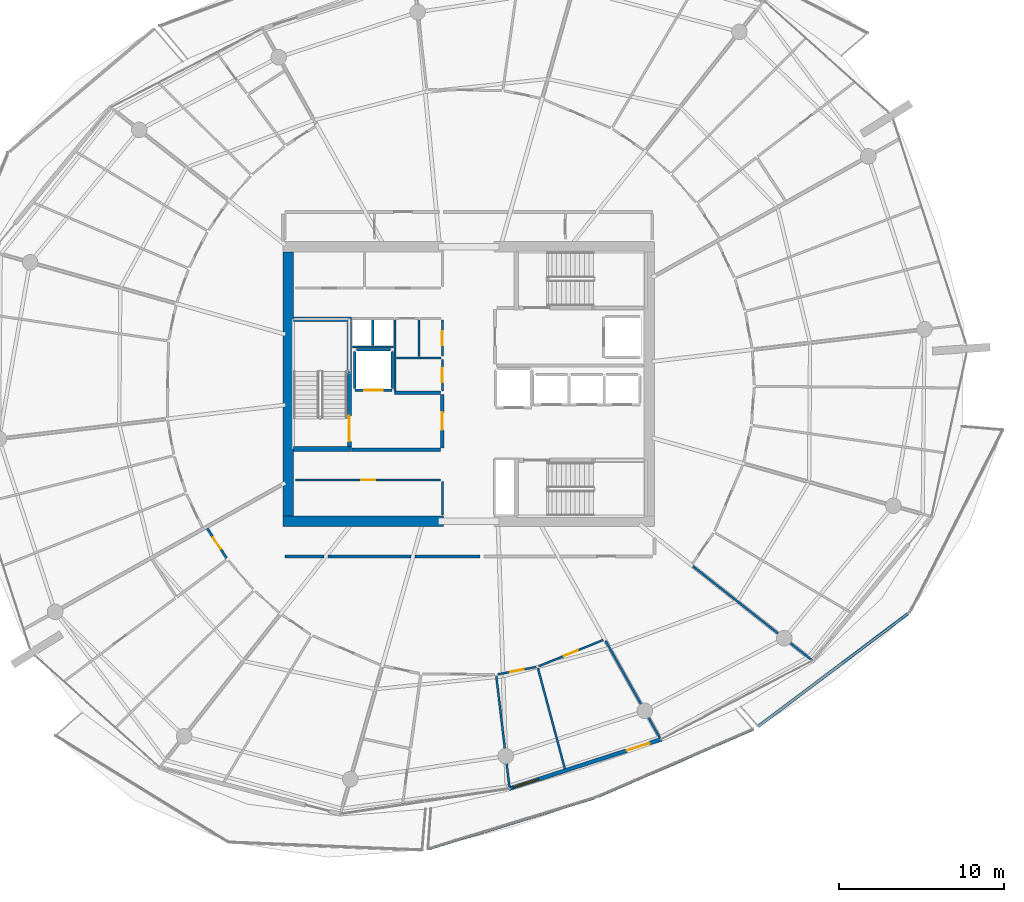
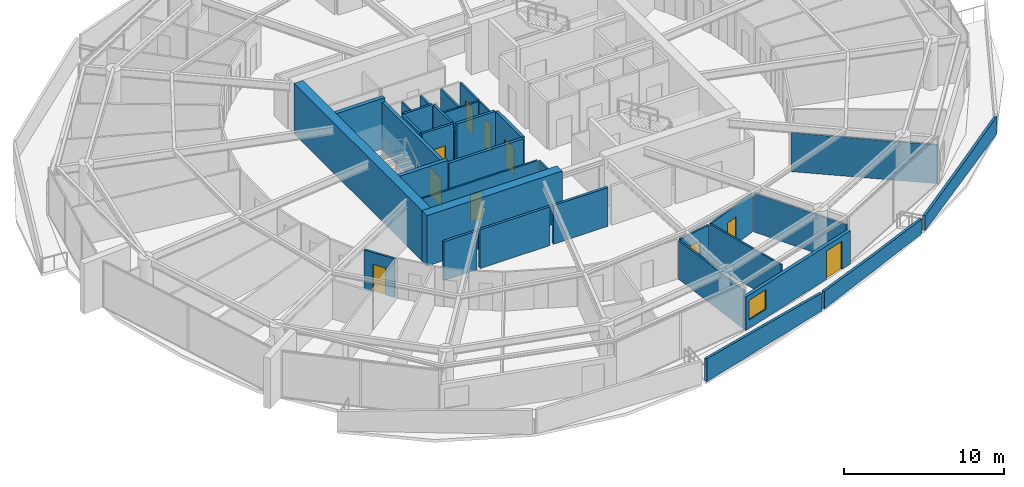
# One storey, part 20 of 31: 35 walls, 10 doors, 1 window, 11 openings.
"""IFC4 building model written with IfcOpenShell, lengths in metres."""

from ifc_helpers import new_model, si_unit, direction, frame, frame_2d, origin, place, context, subcontext, project, spatial, polyline, rectangle, outline, extrude, material, layer, layer_set, type_object, element, fill, save


model = new_model("IFC4")

# Units and contexts
model_context = context("Model", 3, precision=1e-05, world=origin(), true_north=direction((0.0, 1.0)))
body_context = subcontext(model_context, "Body", "Model", "MODEL_VIEW")
ifc_project = project(units=[si_unit("LENGTHUNIT", "METRE"), si_unit("AREAUNIT", "SQUARE_METRE"), si_unit("VOLUMEUNIT", "CUBIC_METRE"), si_unit("PLANEANGLEUNIT", "RADIAN"), si_unit("MASSUNIT", "GRAM", prefix="KILO")], contexts=[model_context])

# Site, building, storey
site_placement = place(None, origin())
site = spatial("IfcSite", under=ifc_project, at=site_placement, CompositionType="ELEMENT")
building_placement = place(site_placement, origin())
building = spatial("IfcBuilding", under=site, at=building_placement, Name="Kazma Halo Residences", CompositionType="ELEMENT")
storey_placement = place(building_placement, frame((0.0, 0.0, 240.550048828125)))
storey = spatial("IfcBuildingStorey", under=building, at=storey_placement, Name="L60", CompositionType="ELEMENT", Elevation=240.550048828125)

# Walls
ifc_material_1 = material(Name="White Concrete C50/60 Balustrade", Category="concrete")
ifc_layer_1 = layer(ifc_material_1, 0.179931640625)
ifc_layer_set_1 = layer_set([ifc_layer_1], Name="White Concrete C50/60 Balustrade")
wall_type_1 = type_object("IfcWallType", Name="WL-BAL-WAVE-180", PredefinedType="PARAPET", material=ifc_layer_set_1)
wall_1_placement = place(storey_placement, frame((45.953369140625, 13.794189453125, 0.0), z_axis=(0.0, 0.0, 1.0), x_axis=(0.955884083791, 0.293744137565, 0.0)))
element("IfcWall", 1, at=wall_1_placement, inside=storey, type_object=wall_type_1, Name="L60 white wave balustrade wall SSE.1", PredefinedType="PARAPET", context=body_context, shape_type="SweptSolid", body=[
    extrude(outline(polyline([(0.0, 0.0), (10.543701171875, 0.0), (10.5439453125, 1.347900390625), (5.27197265625, 1.56201171875), (0.0, 1.7470703125), (0.0, 0.0)])), frame((0.0, 0.08984375, 0.0), z_axis=(0.0, -1.0, 0.0), x_axis=(1.0, 0.0, 0.0)), (0.0, 0.0, 1.0), 0.179931640625),
])
wall_2_placement = place(storey_placement, frame((56.2568359375, 16.974365234375, 0.0), z_axis=(0.0, 0.0, 1.0), x_axis=(0.917372888721, 0.398028872119, 0.0)))
element("IfcWall", 2, at=wall_2_placement, inside=storey, type_object=wall_type_1, Name="L60 white wave balustrade wall SSE.2", PredefinedType="PARAPET", context=body_context, shape_type="SweptSolid", body=[
    extrude(outline(polyline([(0.0, 0.0), (10.257568359375, 0.0), (10.25732421875, 1.119873046875), (5.128662109375, 1.181884765625), (0.0, 1.347900390625), (0.0, 0.0)])), frame((0.0, 0.08984375, 0.0), z_axis=(0.0, -1.0, 0.0), x_axis=(1.0, 0.0, 0.0)), (0.0, 0.0, 1.0), 0.179931640625),
])
wall_3_placement = place(storey_placement, frame((65.972412109375, 21.215576171875, 0.0), z_axis=(0.0, 0.0, 1.0), x_axis=(0.799146815098, 0.601135898046, 0.0)))
element("IfcWall", 3, at=wall_3_placement, inside=storey, type_object=wall_type_1, Name="L60 white wave balustrade wall SE.1", PredefinedType="PARAPET", context=body_context, shape_type="SweptSolid", body=[
    extrude(outline(polyline([(0.0, 0.0), (11.4111328125, 0.0), (11.4111328125, 1.347900390625), (5.70556640625, 1.181884765625), (0.0, 1.119873046875), (0.0, 0.0)])), frame((0.0, 0.08984375, 0.0), z_axis=(0.0, -1.0, 0.0), x_axis=(1.0, 0.0, 0.0)), (0.0, 0.0, 1.0), 0.179931640625),
])
ifc_material_2 = material(Name="Concrete C60/75", Category="concrete")
ifc_layer_2 = layer(ifc_material_2, 0.64990234375)
ifc_layer_set_2 = layer_set([ifc_layer_2], Name="Concrete C60/75")
wall_type_2 = type_object("IfcWallType", Name="WL-CORE-650", PredefinedType="SHEAR", material=ifc_layer_set_2)
wall_4_placement = place(storey_placement, frame((37.14990234375, 33.675048828125, 0.0), z_axis=(0.0, 0.0, 1.0), x_axis=(1.0, 0.0, 0.0)))
element("IfcWall", 4, at=wall_4_placement, inside=storey, type_object=wall_type_2, Name="L60 central core shear wall SW", PredefinedType="SHEAR", context=body_context, shape_type="SweptSolid", body=[
    extrude(rectangle(XDim=9.75, YDim=0.64990234375, at=frame_2d((4.875, 0.0))), origin(), (0.0, 0.0, 1.0), 3.849853515625),
])
wall_5_placement = place(storey_placement, frame((37.47509765625, 34.0, 0.0), z_axis=(0.0, 0.0, 1.0), x_axis=(0.0, 1.0, 0.0)))
element("IfcWall", 5, at=wall_5_placement, inside=storey, type_object=wall_type_2, Name="L60 central core shear wall W", PredefinedType="SHEAR", context=body_context, shape_type="SweptSolid", body=[
    extrude(rectangle(XDim=16.0, YDim=0.64990234375, at=frame_2d((8.0, 0.0))), origin(), (0.0, 0.0, 1.0), 3.849853515625),
])
ifc_layer_3 = layer(ifc_material_2, 0.280029296875)
ifc_layer_set_3 = layer_set([ifc_layer_3], Name="Concrete C60/75")
wall_type_3 = type_object("IfcWallType", Name="WL-CORE-ST-280", PredefinedType="SHEAR", material=ifc_layer_set_3)
for number, where, z_axis, x_axis, name in (
    (6, (37.800048828125, 38.06005859375, 0.0), (0.0, 0.0, 1.0), (1.0, 0.0, 0.0), "L60 stairwell bearing wall ST01-S"),
    (7, (37.800048828125, 45.93994140625, 0.0), (0.0, 0.0, 1.0), (1.0, 0.0, 0.0), "L60 stairwell bearing wall ST01-N"),
):
    element("IfcWall", number, at=place(storey_placement, frame(where, z_axis=z_axis, x_axis=x_axis)), inside=storey, type_object=wall_type_3, Name=name, PredefinedType="SHEAR", context=body_context, shape_type="SweptSolid", body=[
        extrude(rectangle(XDim=3.5, YDim=0.280029296875, at=frame_2d((1.75, 0.0))), origin(), (0.0, 0.0, 1.0), 3.849853515625),
    ])
ifc_material_3 = material(Name="Acoustic Twin-Stud Gypsum")
ifc_layer_4 = layer(ifc_material_3, 0.179931640625)
ifc_layer_set_4 = layer_set([ifc_layer_4], Name="Acoustic Twin-Stud Gypsum")
wall_type_4 = type_object("IfcWallType", Name="WL-DEM-180", PredefinedType="PARTITIONING", material=ifc_layer_set_4)
wall_6_placement = place(storey_placement, frame((37.27001953125, 31.550048828125, 0.0), z_axis=(0.0, 0.0, 1.0), x_axis=(1.0, 0.0, 0.0)))
element("IfcWall", 8, at=wall_6_placement, inside=storey, type_object=wall_type_4, Name="L60 Apartment 2 inner wall 8", PredefinedType="PARTITIONING", context=body_context, shape_type="SweptSolid", body=[
    extrude(rectangle(XDim=2.371826171875, YDim=0.179931640625, at=frame_2d((1.18603515625, 0.0))), origin(), (0.0, 0.0, 1.0), 2.95703125),
])
wall_7_placement = place(storey_placement, frame((39.8818359375, 31.550048828125, 0.0), z_axis=(0.0, 0.0, 1.0), x_axis=(1.0, 0.0, 0.0)))
element("IfcWall", 9, at=wall_7_placement, inside=storey, type_object=wall_type_4, Name="L60 Apartment 2 inner wall 9", PredefinedType="PARTITIONING", context=body_context, shape_type="SweptSolid", body=[
    extrude(rectangle(XDim=5.051025390625, YDim=0.179931640625, at=frame_2d((2.525390625, 0.0))), origin(), (0.0, 0.0, 1.0), 2.95703125),
])
wall_8_placement = place(storey_placement, frame((45.1728515625, 31.550048828125, 0.0), z_axis=(0.0, 0.0, 1.0), x_axis=(1.0, 0.0, 0.0)))
element("IfcWall", 10, at=wall_8_placement, inside=storey, type_object=wall_type_4, Name="L60 Apartment 2 inner wall 10", PredefinedType="PARTITIONING", context=body_context, shape_type="SweptSolid", body=[
    extrude(rectangle(XDim=3.94384765625, YDim=0.179931640625, at=frame_2d((1.971923828125, 0.0))), origin(), (0.0, 0.0, 1.0), 2.95703125),
])

# Wall, openings, door, window
ifc_material_4 = material(Name="Insulated Pale-Metal Composite Wall")
ifc_layer_5 = layer(ifc_material_4, 0.239990234375)
ifc_layer_set_5 = layer_set([ifc_layer_5], Name="Insulated Pale-Metal Composite Wall")
wall_type_5 = type_object("IfcWallType", Name="WL-EXT-HOST-240", PredefinedType="SOLIDWALL", material=ifc_layer_set_5)
wall_9_placement = place(storey_placement, frame((50.85791015625, 17.436279296875, 0.0), z_axis=(0.0, 0.0, 1.0), x_axis=(0.951055974609, 0.309018661507, 0.0)))
wall_9 = element("IfcWall", 11, at=wall_9_placement, inside=storey, type_object=wall_type_5, Name="L60 exterior terrace-access wall B12", PredefinedType="SOLIDWALL", context=body_context, shape_type="SweptSolid", body=[
    extrude(rectangle(XDim=9.745361328125, YDim=0.239990234375, at=frame_2d((4.87255859375, 0.0))), origin(), (0.0, 0.0, 1.0), 2.5400390625),
])
opening_1_placement = place(wall_9_placement, frame((7.525390625, 0.0, 0.0)))
opening_1 = element("IfcOpeningElement", 12, at=opening_1_placement, cuts=wall_9, Name="Opening DTR-1600", PredefinedType="OPENING", context=body_context, shape_type="SweptSolid", body=[
    extrude(rectangle(XDim=1.449951171875, YDim=2.14990234375, at=frame_2d((0.72509765625, 1.074951171875))), frame((0.0, 0.1298828125, 0.0), z_axis=(0.0, -1.0, 0.0), x_axis=(1.0, 0.0, 0.0)), (0.0, 0.0, 1.0), 0.260009765625),
])
opening_2_placement = place(wall_9_placement, frame((0.280029296875, 0.0, 0.64990234375)))
opening_2 = element("IfcOpeningElement", 13, at=opening_2_placement, cuts=wall_9, Name="Opening W-1800", PredefinedType="OPENING", context=body_context, shape_type="SweptSolid", body=[
    extrude(rectangle(XDim=1.60009765625, YDim=1.5, at=frame_2d((0.800048828125, 0.75))), frame((0.0, 0.1298828125, 0.0), z_axis=(0.0, -1.0, 0.0), x_axis=(1.0, 0.0, 0.0)), (0.0, 0.0, 1.0), 0.260009765625),
])
ifc_material_5 = material(Name="Aluminium AW-6063 T6 Double-Glazed Terrace Door", Category="aluminium")
door_type_1 = type_object("IfcDoorType", Name="DR-EXT-TERR-1600", OperationType="NOTDEFINED", PredefinedType="DOOR", material=ifc_material_5)
door_1_placement = place(opening_1_placement, origin())
door_1 = element("IfcDoor", 14, at=door_1_placement, inside=storey, type_object=door_type_1, Name="L60 B12 balcony terrace door", OperationType="DOUBLE_DOOR_SLIDING", OverallHeight=2.14990234375, OverallWidth=1.449951171875, PredefinedType="DOOR", context=body_context, shape_type="SweptSolid", body=[
    extrude(rectangle(XDim=1.449951171875, YDim=2.14990234375, at=frame_2d((0.72509765625, 1.074951171875))), frame((0.0, 0.02490234375, 0.0), z_axis=(0.0, -1.0, 0.0), x_axis=(1.0, 0.0, 0.0)), (0.0, 0.0, 1.0), 0.050048828125),
])
fill(opening_1, door_1)
ifc_material_6 = material(Name="Clear Triple-Silver Low-E Glass in Aluminium AW-6063 T6 Frame", Category="aluminium")
window_type = type_object("IfcWindowType", Name="WIN-RES-1800", PartitioningType="DOUBLE_PANEL_VERTICAL", PredefinedType="WINDOW", material=ifc_material_6)
window_placement = place(opening_2_placement, origin())
window = element("IfcWindow", 15, at=window_placement, inside=storey, type_object=window_type, Name="L60 B12 apartment window", OverallHeight=1.5, OverallWidth=1.60009765625, PartitioningType="SINGLE_PANEL", PredefinedType="WINDOW", context=body_context, shape_type="SweptSolid", body=[
    extrude(rectangle(XDim=1.60009765625, YDim=1.5, at=frame_2d((0.800048828125, 0.75))), frame((0.0, 0.030029296875, 0.0), z_axis=(0.0, -1.0, 0.0), x_axis=(1.0, 0.0, 0.0)), (0.0, 0.0, 1.0), 0.06005859375),
])
fill(opening_2, window)

# Wall, opening, door
ifc_material_7 = material(Name="Fire-Rated Blockwork Masonry", Category="masonry")
ifc_layer_6 = layer(ifc_material_7, 0.199951171875)
ifc_layer_set_6 = layer_set([ifc_layer_6], Name="Fire-Rated Blockwork Masonry")
wall_type_6 = type_object("IfcWallType", Name="WL-FLB-200", PredefinedType="PARTITIONING", material=ifc_layer_set_6)
wall_10_placement = place(storey_placement, frame((43.780029296875, 41.6201171875, 0.0), z_axis=(0.0, 0.0, 1.0), x_axis=(-1.0, 0.0, 0.0)))
wall_10 = element("IfcWall", 16, at=wall_10_placement, inside=storey, type_object=wall_type_6, Name="L60 lift shaft FL-01 front wall", PredefinedType="PARTITIONING", context=body_context, shape_type="SweptSolid", body=[
    extrude(rectangle(XDim=2.260009765625, YDim=0.159912109375, at=frame_2d((1.1298828125, 0.0))), origin(), (0.0, 0.0, 1.0), 3.58984375),
])
opening_3_placement = place(wall_10_placement, frame((0.580078125, 0.0, 0.0)))
opening_3 = element("IfcOpeningElement", 17, at=opening_3_placement, cuts=wall_10, Name="Opening LD-FL-01", PredefinedType="OPENING", context=body_context, shape_type="SweptSolid", body=[
    extrude(rectangle(XDim=1.10009765625, YDim=2.10009765625, at=frame_2d((0.550048828125, 1.050048828125))), frame((0.0, 0.08984375, 0.0), z_axis=(0.0, -1.0, 0.0), x_axis=(1.0, 0.0, 0.0)), (0.0, 0.0, 1.0), 0.179931640625),
])
ifc_material_8 = material(Name="Stainless Steel Fire-Rated", Category="steel")
door_type_2 = type_object("IfcDoorType", Name="DR-LIFT-SLD-1100", OperationType="DOUBLE_DOOR_SLIDING", PredefinedType="DOOR", material=ifc_material_8)
door_2_placement = place(opening_3_placement, origin())
door_2 = element("IfcDoor", 18, at=door_2_placement, inside=storey, type_object=door_type_2, Name="L60 lift FL-01 sliding landing door", OperationType="DOUBLE_DOOR_SLIDING", OverallHeight=2.10009765625, OverallWidth=1.10009765625, PredefinedType="DOOR", context=body_context, shape_type="SweptSolid", body=[
    extrude(rectangle(XDim=1.10009765625, YDim=2.10009765625, at=frame_2d((0.550048828125, 1.050048828125))), frame((0.0, 0.02490234375, 0.0), z_axis=(0.0, -1.0, 0.0), x_axis=(1.0, 0.0, 0.0)), (0.0, 0.0, 1.0), 0.050048828125),
])
fill(opening_3, door_2)

# Walls
for number, where, z_axis, x_axis, name in (
    (19, (43.780029296875, 41.719970703125, 0.0), (0.0, 0.0, 1.0), (0.0, 1.0, 0.0), "L60 lift shaft FL-01 side wall E"),
    (20, (41.52001953125, 41.719970703125, 0.0), (0.0, 0.0, 1.0), (0.0, 1.0, 0.0), "L60 lift shaft FL-01 side wall W"),
):
    element("IfcWall", number, at=place(storey_placement, frame(where, z_axis=z_axis, x_axis=x_axis)), inside=storey, type_object=wall_type_6, Name=name, PredefinedType="PARTITIONING", context=body_context, shape_type="SweptSolid", body=[
        extrude(rectangle(XDim=2.260009765625, YDim=0.159912109375, at=frame_2d((1.1298828125, 0.0))), origin(), (0.0, 0.0, 1.0), 3.58984375),
    ])
wall_11_placement = place(storey_placement, frame((41.6201171875, 44.080078125, 0.0), z_axis=(0.0, 0.0, 1.0), x_axis=(1.0, 0.0, 0.0)))
element("IfcWall", 21, at=wall_11_placement, inside=storey, type_object=wall_type_6, Name="L60 lift shaft FL-01 side wall N", PredefinedType="PARTITIONING", context=body_context, shape_type="SweptSolid", body=[
    extrude(rectangle(XDim=2.059814453125, YDim=0.159912109375, at=frame_2d((1.02978515625, 0.0))), origin(), (0.0, 0.0, 1.0), 3.58984375),
])
wall_12_placement = place(storey_placement, frame((41.35009765625, 38.02001953125, 0.0), z_axis=(0.0, 0.0, 1.0), x_axis=(1.0, 0.0, 0.0)))
element("IfcWall", 22, at=wall_12_placement, inside=storey, type_object=wall_type_6, Name="L60 west firefighting lobby south smoke wall", PredefinedType="PARTITIONING", context=body_context, shape_type="SweptSolid", body=[
    extrude(rectangle(XDim=5.369873046875, YDim=0.199951171875, at=frame_2d((2.68505859375, 0.0))), origin(), (0.0, 0.0, 1.0), 3.58984375),
])
wall_13_placement = place(storey_placement, frame((43.919921875, 41.47998046875, 0.0), z_axis=(0.0, 0.0, 1.0), x_axis=(1.0, 0.0, 0.0)))
element("IfcWall", 23, at=wall_13_placement, inside=storey, type_object=wall_type_6, Name="L60 west firefighting lobby north smoke wall", PredefinedType="PARTITIONING", context=body_context, shape_type="SweptSolid", body=[
    extrude(rectangle(XDim=2.800048828125, YDim=0.199951171875, at=frame_2d((1.39990234375, 0.0))), origin(), (0.0, 0.0, 1.0), 3.58984375),
])

# Wall, opening, door
wall_14_placement = place(storey_placement, frame((46.820068359375, 38.1201171875, 0.0), z_axis=(0.0, 0.0, 1.0), x_axis=(0.0, 1.0, 0.0)))
wall_14 = element("IfcWall", 24, at=wall_14_placement, inside=storey, type_object=wall_type_6, Name="L60 west firefighting lobby smoke wall", PredefinedType="PARTITIONING", context=body_context, shape_type="SweptSolid", body=[
    extrude(rectangle(XDim=3.259765625, YDim=0.199951171875, at=frame_2d((1.6298828125, 0.0))), origin(), (0.0, 0.0, 1.0), 3.58984375),
])
opening_4_placement = place(wall_14_placement, frame((1.10498046875, 0.0, 0.0)))
opening_4 = element("IfcOpeningElement", 25, at=opening_4_placement, cuts=wall_14, Name="Opening D-FLW", PredefinedType="OPENING", context=body_context, shape_type="SweptSolid", body=[
    extrude(rectangle(XDim=1.050048828125, YDim=2.10009765625, at=frame_2d((0.52490234375, 1.050048828125))), frame((0.0, 0.10986328125, 0.0), z_axis=(0.0, -1.0, 0.0), x_axis=(1.0, 0.0, 0.0)), (0.0, 0.0, 1.0), 0.219970703125),
])
ifc_material_9 = material(Name="Fire-Rated Steel Leaf", Category="steel")
door_type_3 = type_object("IfcDoorType", Name="DR-FD90-1050", OperationType="NOTDEFINED", PredefinedType="DOOR", material=ifc_material_9)
door_3_placement = place(opening_4_placement, origin())
door_3 = element("IfcDoor", 26, at=door_3_placement, inside=storey, type_object=door_type_3, Name="L60 west firefighting lobby smoke door", OperationType="SINGLE_SWING_LEFT", OverallHeight=2.10009765625, OverallWidth=1.050048828125, PredefinedType="DOOR", context=body_context, shape_type="SweptSolid", body=[
    extrude(rectangle(XDim=1.050048828125, YDim=2.10009765625, at=frame_2d((0.52490234375, 1.050048828125))), frame((0.0, 0.02490234375, 0.0), z_axis=(0.0, -1.0, 0.0), x_axis=(1.0, 0.0, 0.0)), (0.0, 0.0, 1.0), 0.050048828125),
])
fill(opening_4, door_3)

# Wall
ifc_material_10 = material(Name="Gypsum Plasterboard Partition")
ifc_layer_7 = layer(ifc_material_10, 0.125)
ifc_layer_set_7 = layer_set([ifc_layer_7], Name="Gypsum Plasterboard Partition")
wall_type_7 = type_object("IfcWallType", Name="WL-PART-125", PredefinedType="PARTITIONING", material=ifc_layer_set_7)
wall_15_placement = place(storey_placement, frame((46.820068359375, 34.050048828125, 0.0), z_axis=(0.0, 0.0, 1.0), x_axis=(0.0, 1.0, 0.0)))
element("IfcWall", 27, at=wall_15_placement, inside=storey, type_object=wall_type_7, Name="L60 reclaimed south east wall", PredefinedType="PARTITIONING", context=body_context, shape_type="SweptSolid", body=[
    extrude(rectangle(XDim=2.030029296875, YDim=0.125, at=frame_2d((1.01513671875, 0.0))), origin(), (0.0, 0.0, 1.0), 3.030029296875),
])

# Wall, opening, door
wall_16_placement = place(storey_placement, frame((37.919921875, 36.179931640625, 0.0), z_axis=(0.0, 0.0, 1.0), x_axis=(1.0, 0.0, 0.0)))
wall_16 = element("IfcWall", 28, at=wall_16_placement, inside=storey, type_object=wall_type_7, Name="L60 reclaimed south front wall", PredefinedType="PARTITIONING", context=body_context, shape_type="SweptSolid", body=[
    extrude(rectangle(XDim=8.800048828125, YDim=0.125, at=frame_2d((4.39990234375, 0.0))), origin(), (0.0, 0.0, 1.0), 3.030029296875),
])
opening_5_placement = place(wall_16_placement, frame((3.97509765625, 0.0, 0.0)))
opening_5 = element("IfcOpeningElement", 29, at=opening_5_placement, cuts=wall_16, Name="Opening DS-850", PredefinedType="OPENING", context=body_context, shape_type="SweptSolid", body=[
    extrude(rectangle(XDim=0.85009765625, YDim=2.06005859375, at=frame_2d((0.425048828125, 1.030029296875))), frame((0.0, 0.072509765625, 0.0), z_axis=(0.0, -1.0, 0.0), x_axis=(1.0, 0.0, 0.0)), (0.0, 0.0, 1.0), 0.14501953125),
])
ifc_material_11 = material(Name="Painted Steel Access Leaf", Category="steel")
door_type_4 = type_object("IfcDoorType", Name="DR-SVC-850", OperationType="NOTDEFINED", PredefinedType="DOOR", material=ifc_material_11)
door_4_placement = place(opening_5_placement, origin())
door_4 = element("IfcDoor", 30, at=door_4_placement, inside=storey, type_object=door_type_4, Name="L60 reclaimed south service door", OperationType="SINGLE_SWING_LEFT", OverallHeight=2.06005859375, OverallWidth=0.85009765625, PredefinedType="DOOR", context=body_context, shape_type="SweptSolid", body=[
    extrude(rectangle(XDim=0.85009765625, YDim=2.06005859375, at=frame_2d((0.425048828125, 1.030029296875))), frame((0.0, 0.02490234375, 0.0), z_axis=(0.0, -1.0, 0.0), x_axis=(1.0, 0.0, 0.0)), (0.0, 0.0, 1.0), 0.050048828125),
])
fill(opening_5, door_4)

# Walls
wall_17_placement = place(storey_placement, frame((41.360107421875, 44.260009765625, 0.0), z_axis=(0.0, 0.0, 1.0), x_axis=(1.0, 0.0, 0.0)))
element("IfcWall", 31, at=wall_17_placement, inside=storey, type_object=wall_type_7, Name="L60 core riser south wall", PredefinedType="PARTITIONING", context=body_context, shape_type="SweptSolid", body=[
    extrude(rectangle(XDim=2.5, YDim=0.125, at=frame_2d((1.25, 0.0))), origin(), (0.0, 0.0, 1.0), 3.030029296875),
])
wall_18_placement = place(storey_placement, frame((42.60009765625, 44.35009765625, 0.0), z_axis=(0.0, 0.0, 1.0), x_axis=(0.0, 1.0, 0.0)))
element("IfcWall", 32, at=wall_18_placement, inside=storey, type_object=wall_type_7, Name="L60 core riser divider wall", PredefinedType="PARTITIONING", context=body_context, shape_type="SweptSolid", body=[
    extrude(rectangle(XDim=1.5498046875, YDim=0.125, at=frame_2d((0.77490234375, 0.0))), origin(), (0.0, 0.0, 1.0), 3.030029296875),
])
wall_19_placement = place(storey_placement, frame((43.949951171875, 41.580078125, 0.0), z_axis=(0.0, 0.0, 1.0), x_axis=(0.0, 1.0, 0.0)))
element("IfcWall", 33, at=wall_19_placement, inside=storey, type_object=wall_type_7, Name="L60 core service west wall", PredefinedType="PARTITIONING", context=body_context, shape_type="SweptSolid", body=[
    extrude(rectangle(XDim=4.31982421875, YDim=0.125, at=frame_2d((2.159912109375, 0.0))), origin(), (0.0, 0.0, 1.0), 3.030029296875),
])
wall_20_placement = place(storey_placement, frame((44.030029296875, 43.590087890625, 0.0), z_axis=(0.0, 0.0, 1.0), x_axis=(1.0, 0.0, 0.0)))
element("IfcWall", 34, at=wall_20_placement, inside=storey, type_object=wall_type_7, Name="L60 core service horiz divider", PredefinedType="PARTITIONING", context=body_context, shape_type="SweptSolid", body=[
    extrude(rectangle(XDim=2.7099609375, YDim=0.125, at=frame_2d((1.35498046875, 0.0))), origin(), (0.0, 0.0, 1.0), 3.030029296875),
])
wall_21_placement = place(storey_placement, frame((45.409912109375, 43.669921875, 0.0), z_axis=(0.0, 0.0, 1.0), x_axis=(0.0, 1.0, 0.0)))
element("IfcWall", 35, at=wall_21_placement, inside=storey, type_object=wall_type_7, Name="L60 core service vert divider", PredefinedType="PARTITIONING", context=body_context, shape_type="SweptSolid", body=[
    extrude(rectangle(XDim=2.22998046875, YDim=0.125, at=frame_2d((1.114990234375, 0.0))), origin(), (0.0, 0.0, 1.0), 3.030029296875),
])

# Wall, opening, door
wall_22_placement = place(storey_placement, frame((46.820068359375, 41.580078125, 0.0), z_axis=(0.0, 0.0, 1.0), x_axis=(0.0, 1.0, 0.0)))
wall_22 = element("IfcWall", 36, at=wall_22_placement, inside=storey, type_object=wall_type_7, Name="L60 refuse room east wall", PredefinedType="PARTITIONING", context=body_context, shape_type="SweptSolid", body=[
    extrude(rectangle(XDim=1.909912109375, YDim=0.125, at=frame_2d((0.955078125, 0.0))), origin(), (0.0, 0.0, 1.0), 3.030029296875),
])
opening_6_placement = place(wall_22_placement, frame((0.530029296875, 0.0, 0.0)))
opening_6 = element("IfcOpeningElement", 37, at=opening_6_placement, cuts=wall_22, Name="Opening DS-850", PredefinedType="OPENING", context=body_context, shape_type="SweptSolid", body=[
    extrude(rectangle(XDim=0.85009765625, YDim=2.06005859375, at=frame_2d((0.425048828125, 1.030029296875))), frame((0.0, 0.072509765625, 0.0), z_axis=(0.0, -1.0, 0.0), x_axis=(1.0, 0.0, 0.0)), (0.0, 0.0, 1.0), 0.14501953125),
])
door_5_placement = place(opening_6_placement, origin())
door_5 = element("IfcDoor", 38, at=door_5_placement, inside=storey, type_object=door_type_4, Name="L60 refuse room door", OperationType="SINGLE_SWING_LEFT", OverallHeight=2.06005859375, OverallWidth=0.85009765625, PredefinedType="DOOR", context=body_context, shape_type="SweptSolid", body=[
    extrude(rectangle(XDim=0.85009765625, YDim=2.06005859375, at=frame_2d((0.425048828125, 1.030029296875))), frame((0.0, 0.02490234375, 0.0), z_axis=(0.0, -1.0, 0.0), x_axis=(1.0, 0.0, 0.0)), (0.0, 0.0, 1.0), 0.050048828125),
])
fill(opening_6, door_5)

wall_23_placement = place(storey_placement, frame((46.820068359375, 43.68994140625, 0.0), z_axis=(0.0, 0.0, 1.0), x_axis=(0.0, 1.0, 0.0)))
wall_23 = element("IfcWall", 39, at=wall_23_placement, inside=storey, type_object=wall_type_7, Name="L60 sub-metering east wall", PredefinedType="PARTITIONING", context=body_context, shape_type="SweptSolid", body=[
    extrude(rectangle(XDim=2.18994140625, YDim=0.125, at=frame_2d((1.094970703125, 0.0))), origin(), (0.0, 0.0, 1.0), 3.030029296875),
])
opening_7_placement = place(wall_23_placement, frame((0.669921875, 0.0, 0.0)))
opening_7 = element("IfcOpeningElement", 40, at=opening_7_placement, cuts=wall_23, Name="Opening DS-850", PredefinedType="OPENING", context=body_context, shape_type="SweptSolid", body=[
    extrude(rectangle(XDim=0.85009765625, YDim=2.06005859375, at=frame_2d((0.425048828125, 1.030029296875))), frame((0.0, 0.072509765625, 0.0), z_axis=(0.0, -1.0, 0.0), x_axis=(1.0, 0.0, 0.0)), (0.0, 0.0, 1.0), 0.14501953125),
])
door_6_placement = place(opening_7_placement, origin())
door_6 = element("IfcDoor", 41, at=door_6_placement, inside=storey, type_object=door_type_4, Name="L60 sub-metering door", OperationType="SINGLE_SWING_RIGHT", OverallHeight=2.06005859375, OverallWidth=0.85009765625, PredefinedType="DOOR", context=body_context, shape_type="SweptSolid", body=[
    extrude(rectangle(XDim=0.85009765625, YDim=2.06005859375, at=frame_2d((0.425048828125, 1.030029296875))), frame((0.0, 0.02490234375, 0.0), z_axis=(0.0, -1.0, 0.0), x_axis=(1.0, 0.0, 0.0)), (0.0, 0.0, 1.0), 0.050048828125),
])
fill(opening_7, door_6)

# Walls
wall_24_placement = place(storey_placement, frame((50.098876953125, 24.266845703125, 0.0), z_axis=(0.0, 0.0, 1.0), x_axis=(0.117541429875, -0.993067979679, 0.0)))
element("IfcWall", 42, at=wall_24_placement, inside=storey, type_object=wall_type_7, Name="L60 Apartment 2 radial partition 11", PredefinedType="PARTITIONING", context=body_context, shape_type="SweptSolid", body=[
    extrude(rectangle(XDim=6.837646484375, YDim=0.125, at=frame_2d((3.4189453125, 0.0))), origin(), (0.0, 0.0, 1.0), 2.95703125),
])
wall_25_placement = place(storey_placement, frame((56.725341796875, 26.419921875, 0.0), z_axis=(0.0, 0.0, 1.0), x_axis=(0.488624332812, -0.872494275846, 0.0)))
element("IfcWall", 43, at=wall_25_placement, inside=storey, type_object=wall_type_7, Name="L60 Apartment 2 living radial partition 11", PredefinedType="PARTITIONING", context=body_context, shape_type="SweptSolid", body=[
    extrude(rectangle(XDim=6.73779296875, YDim=0.125, at=frame_2d((3.368896484375, 0.0))), origin(), (0.0, 0.0, 1.0), 2.95703125),
])
wall_26_placement = place(storey_placement, frame((52.621337890625, 24.76171875, 0.0), z_axis=(0.0, 0.0, 1.0), x_axis=(0.258970884365, -0.96588512829, 0.0)))
element("IfcWall", 44, at=wall_26_placement, inside=storey, type_object=wall_type_7, Name="L60 Apartment 2 mid-bay wall 11", PredefinedType="PARTITIONING", context=body_context, shape_type="SweptSolid", body=[
    extrude(rectangle(XDim=6.305908203125, YDim=0.125, at=frame_2d((3.15283203125, 0.0))), origin(), (0.0, 0.0, 1.0), 3.030029296875),
])

# Wall, opening, door
wall_27_placement = place(storey_placement, frame((50.185302734375, 24.385009765625, 0.0), z_axis=(0.0, 0.0, 1.0), x_axis=(0.982037935844, 0.188683577884, 0.0)))
wall_27 = element("IfcWall", 45, at=wall_27_placement, inside=storey, type_object=wall_type_7, Name="L60 Apartment 2 Outer Dressing Wardrobe hall wall", PredefinedType="PARTITIONING", context=body_context, shape_type="SweptSolid", body=[
    extrude(rectangle(XDim=2.376953125, YDim=0.125, at=frame_2d((1.1884765625, 0.0))), origin(), (0.0, 0.0, 1.0), 2.95703125),
])
opening_8_placement = place(wall_27_placement, frame((0.763427734375, 0.0, 0.0)))
opening_8 = element("IfcOpeningElement", 46, at=opening_8_placement, cuts=wall_27, Name="Opening DB-900", PredefinedType="OPENING", context=body_context, shape_type="SweptSolid", body=[
    extrude(rectangle(XDim=0.85009765625, YDim=2.06005859375, at=frame_2d((0.425048828125, 1.030029296875))), frame((0.0, 0.072509765625, 0.0), z_axis=(0.0, -1.0, 0.0), x_axis=(1.0, 0.0, 0.0)), (0.0, 0.0, 1.0), 0.14501953125),
])
ifc_material_12 = material(Name="Moisture-Sealed Timber Leaf", Category="wood")
door_type_5 = type_object("IfcDoorType", Name="DR-BTH-900", OperationType="NOTDEFINED", PredefinedType="DOOR", material=ifc_material_12)
door_7_placement = place(opening_8_placement, origin())
door_7 = element("IfcDoor", 47, at=door_7_placement, inside=storey, type_object=door_type_5, Name="L60 Apartment 2 Outer Dressing Wardrobe door", OperationType="SINGLE_SWING_RIGHT", OverallHeight=2.06005859375, OverallWidth=0.85009765625, PredefinedType="DOOR", context=body_context, shape_type="SweptSolid", body=[
    extrude(rectangle(XDim=0.85009765625, YDim=2.06005859375, at=frame_2d((0.425048828125, 1.030029296875))), frame((0.0, 0.02490234375, 0.0), z_axis=(0.0, -1.0, 0.0), x_axis=(1.0, 0.0, 0.0)), (0.0, 0.0, 1.0), 0.050048828125),
])
fill(opening_8, door_7)

wall_28_placement = place(storey_placement, frame((52.672119140625, 24.87890625, 0.0), z_axis=(0.0, 0.0, 1.0), x_axis=(0.926344303187, 0.376677888857, 0.0)))
wall_28 = element("IfcWall", 48, at=wall_28_placement, inside=storey, type_object=wall_type_7, Name="L60 Apartment 2 Corner Master Bedroom hall wall", PredefinedType="PARTITIONING", context=body_context, shape_type="SweptSolid", body=[
    extrude(rectangle(XDim=4.22265625, YDim=0.125, at=frame_2d((2.111328125, 0.0))), origin(), (0.0, 0.0, 1.0), 2.95703125),
])
opening_9_placement = place(wall_28_placement, frame((1.661376953125, 0.0, 0.0)))
opening_9 = element("IfcOpeningElement", 49, at=opening_9_placement, cuts=wall_28, Name="Opening DI-950", PredefinedType="OPENING", context=body_context, shape_type="SweptSolid", body=[
    extrude(rectangle(XDim=0.89990234375, YDim=2.080078125, at=frame_2d((0.449951171875, 1.0400390625))), frame((0.0, 0.072509765625, 0.0), z_axis=(0.0, -1.0, 0.0), x_axis=(1.0, 0.0, 0.0)), (0.0, 0.0, 1.0), 0.14501953125),
])
ifc_material_13 = material(Name="Timber Veneer Flush Leaf", Category="wood")
door_type_6 = type_object("IfcDoorType", Name="DR-INT-950", OperationType="NOTDEFINED", PredefinedType="DOOR", material=ifc_material_13)
door_8_placement = place(opening_9_placement, origin())
door_8 = element("IfcDoor", 50, at=door_8_placement, inside=storey, type_object=door_type_6, Name="L60 Apartment 2 Corner Master Bedroom door", OperationType="SINGLE_SWING_LEFT", OverallHeight=2.080078125, OverallWidth=0.89990234375, PredefinedType="DOOR", context=body_context, shape_type="SweptSolid", body=[
    extrude(rectangle(XDim=0.89990234375, YDim=2.080078125, at=frame_2d((0.449951171875, 1.0400390625))), frame((0.0, 0.02490234375, 0.0), z_axis=(0.0, -1.0, 0.0), x_axis=(1.0, 0.0, 0.0)), (0.0, 0.0, 1.0), 0.050048828125),
])
fill(opening_9, door_8)

# Wall
wall_29_placement = place(storey_placement, frame((62.0234375, 30.94482421875, 0.0), z_axis=(0.0, 0.0, 1.0), x_axis=(0.785322102606, -0.619087388952, 0.0)))
element("IfcWall", 51, at=wall_29_placement, inside=storey, type_object=wall_type_7, Name="L60 Apartment 2 radial partition 13", PredefinedType="PARTITIONING", context=body_context, shape_type="SweptSolid", body=[
    extrude(rectangle(XDim=9.2275390625, YDim=0.125, at=frame_2d((4.61376953125, 0.0))), origin(), (0.0, 0.0, 1.0), 2.95703125),
])

# Wall, opening, door
ifc_material_14 = material(Name="Concrete C50/60", Category="concrete")
ifc_layer_8 = layer(ifc_material_14, 0.25)
ifc_layer_set_8 = layer_set([ifc_layer_8], Name="Concrete C50/60")
wall_type_8 = type_object("IfcWallType", Name="WL-SHF-250", PredefinedType="SOLIDWALL", material=ifc_layer_set_8)
wall_30_placement = place(storey_placement, frame((41.179931640625, 38.219970703125, 0.0), z_axis=(0.0, 0.0, 1.0), x_axis=(0.0, 1.0, 0.0)))
wall_30 = element("IfcWall", 52, at=wall_30_placement, inside=storey, type_object=wall_type_8, Name="L60 exit stair ST-01 enclosure wall", PredefinedType="SOLIDWALL", context=body_context, shape_type="SweptSolid", body=[
    extrude(rectangle(XDim=7.56005859375, YDim=0.25, at=frame_2d((3.780029296875, 0.0))), origin(), (0.0, 0.0, 1.0), 3.58984375),
])
opening_10_placement = place(wall_30_placement, frame((0.300048828125, 0.0, 0.0)))
opening_10 = element("IfcOpeningElement", 53, at=opening_10_placement, cuts=wall_30, Name="Opening D-ST1", PredefinedType="OPENING", context=body_context, shape_type="SweptSolid", body=[
    extrude(rectangle(XDim=1.550048828125, YDim=2.14990234375, at=frame_2d((0.77490234375, 1.074951171875))), frame((0.0, 0.135009765625, 0.0), z_axis=(0.0, -1.0, 0.0), x_axis=(1.0, 0.0, 0.0)), (0.0, 0.0, 1.0), 0.27001953125),
])
ifc_material_15 = material(Name="Fire-Rated Double Steel Leaf", Category="steel")
door_type_7 = type_object("IfcDoorType", Name="DR-FD90-1550", OperationType="NOTDEFINED", PredefinedType="DOOR", material=ifc_material_15)
door_9_placement = place(opening_10_placement, origin())
door_9 = element("IfcDoor", 54, at=door_9_placement, inside=storey, type_object=door_type_7, Name="L60 exit stair ST-01 fire door", OperationType="DOUBLE_DOOR_SINGLE_SWING", OverallHeight=2.14990234375, OverallWidth=1.550048828125, PredefinedType="DOOR", context=body_context, shape_type="SweptSolid", body=[
    extrude(rectangle(XDim=1.550048828125, YDim=2.14990234375, at=frame_2d((0.77490234375, 1.074951171875))), frame((0.0, 0.02490234375, 0.0), z_axis=(0.0, -1.0, 0.0), x_axis=(1.0, 0.0, 0.0)), (0.0, 0.0, 1.0), 0.050048828125),
])
fill(opening_10, door_9)

ifc_material_16 = material(Name="Moisture-Resistant Gypsum")
ifc_layer_9 = layer(ifc_material_16, 0.14990234375)
ifc_layer_set_9 = layer_set([ifc_layer_9], Name="Moisture-Resistant Gypsum")
wall_type_9 = type_object("IfcWallType", Name="WL-WET-150", PredefinedType="PARTITIONING", material=ifc_layer_set_9)
wall_31_placement = place(storey_placement, frame((32.5615234375, 33.23974609375, 0.0), z_axis=(0.0, 0.0, 1.0), x_axis=(0.544888302375, -0.838508639154, 0.0)))
wall_31 = element("IfcWall", 55, at=wall_31_placement, inside=storey, type_object=wall_type_9, Name="L60 Apartment 2 Guest Bathroom hall wall", PredefinedType="PARTITIONING", context=body_context, shape_type="SweptSolid", body=[
    extrude(rectangle(XDim=2.144287109375, YDim=0.14990234375, at=frame_2d((1.072265625, 0.0))), origin(), (0.0, 0.0, 1.0), 2.95703125),
])
opening_11_placement = place(wall_31_placement, frame((0.647216796875, 0.0, 0.0)))
opening_11 = element("IfcOpeningElement", 56, at=opening_11_placement, cuts=wall_31, Name="Opening DB-900", PredefinedType="OPENING", context=body_context, shape_type="SweptSolid", body=[
    extrude(rectangle(XDim=0.85009765625, YDim=2.06005859375, at=frame_2d((0.425048828125, 1.030029296875))), frame((0.0, 0.0849609375, 0.0), z_axis=(0.0, -1.0, 0.0), x_axis=(1.0, 0.0, 0.0)), (0.0, 0.0, 1.0), 0.169921875),
])
door_10_placement = place(opening_11_placement, origin())
door_10 = element("IfcDoor", 57, at=door_10_placement, inside=storey, type_object=door_type_5, Name="L60 Apartment 2 Guest Bathroom door", OperationType="SINGLE_SWING_LEFT", OverallHeight=2.06005859375, OverallWidth=0.85009765625, PredefinedType="DOOR", context=body_context, shape_type="SweptSolid", body=[
    extrude(rectangle(XDim=0.85009765625, YDim=2.06005859375, at=frame_2d((0.425048828125, 1.030029296875))), frame((0.0, 0.02490234375, 0.0), z_axis=(0.0, -1.0, 0.0), x_axis=(1.0, 0.0, 0.0)), (0.0, 0.0, 1.0), 0.050048828125),
])
fill(opening_11, door_10)

save(model, "model.ifc")
